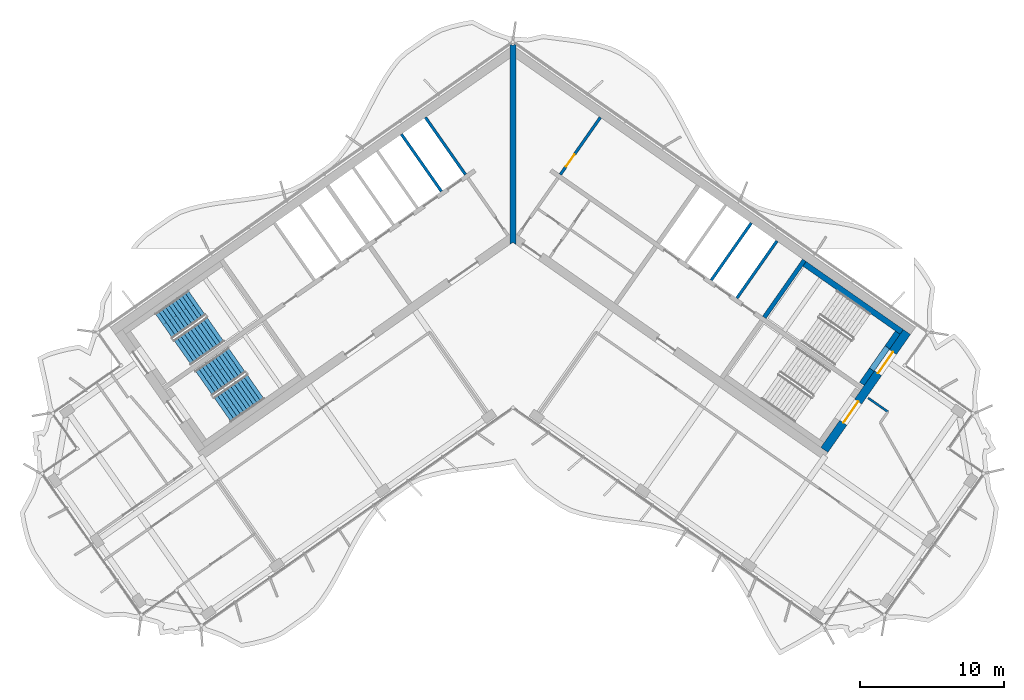
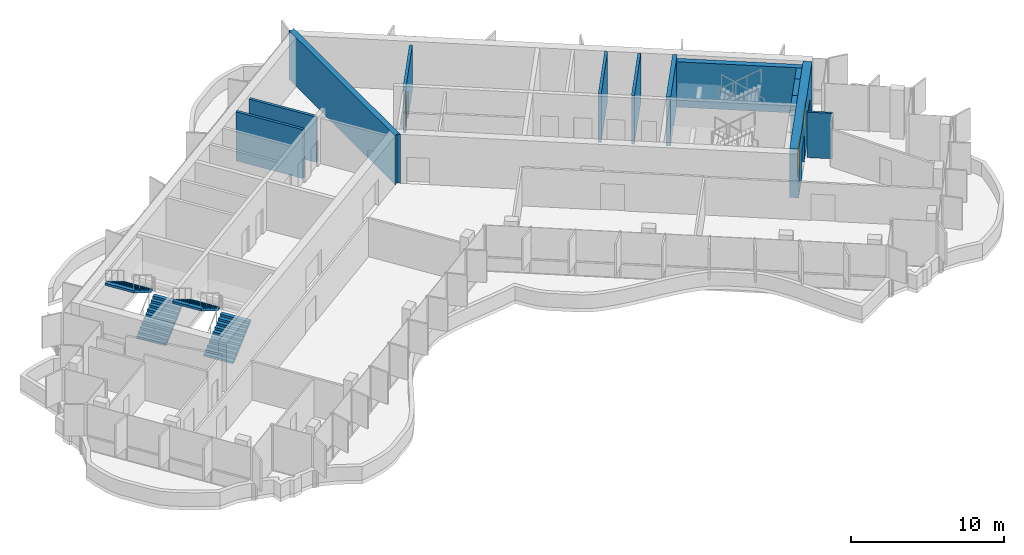
# One storey, part 13 of 19: 13 walls, 4 stair flights, 3 doors, 3 openings, 2 elements without a shape of their own.
"""IFC4 building model written with IfcOpenShell, lengths in metres."""

from ifc_helpers import new_model, si_unit, direction, frame, frame_2d, origin, place, context, subcontext, project, spatial, polyline, rectangle, outline, extrude, material, layer, layer_set, type_object, element, fill, aggregate, save


model = new_model("IFC4")

# Units and contexts
model_context = context("Model", 3, precision=1e-05, world=origin(), true_north=direction((0.0, 1.0)))
body_context = subcontext(model_context, "Body", "Model", "MODEL_VIEW")
ifc_project = project(units=[si_unit("LENGTHUNIT", "METRE"), si_unit("AREAUNIT", "SQUARE_METRE"), si_unit("VOLUMEUNIT", "CUBIC_METRE"), si_unit("PLANEANGLEUNIT", "RADIAN"), si_unit("MASSUNIT", "GRAM", prefix="KILO")], contexts=[model_context])

# Site, building, storey
site_placement = place(None, origin())
site = spatial("IfcSite", under=ifc_project, at=site_placement, CompositionType="ELEMENT")
building_placement = place(site_placement, origin())
building = spatial("IfcBuilding", under=site, at=building_placement, Name="Tel Ilan Convention Tower", CompositionType="ELEMENT")
storey_placement = place(building_placement, frame((0.0, 0.0, 241.0)))
storey = spatial("IfcBuildingStorey", under=building, at=storey_placement, Name="L56", CompositionType="ELEMENT", Elevation=241.0)

# Wall
ifc_material_1 = material(Name="Concrete C30/37", Category="concrete")
ifc_layer_1 = layer(ifc_material_1, 0.199951171875)
ifc_layer_set_1 = layer_set([ifc_layer_1], Name="Core Service Room Wall 200 mm C30/37")
wall_type_1 = type_object("IfcWallType", Name="Core Service Room Wall 200 mm C30/37", PredefinedType="SOLIDWALL", material=ifc_layer_set_1)
wall_1_placement = place(storey_placement, frame((-3.2978515625, 3.489501953125, 0.0), z_axis=(0.0, 0.0, 1.0), x_axis=(-0.573560315113, 0.819163332265, 0.0)))
element("IfcWall", 1, at=wall_1_placement, inside=storey, type_object=wall_type_1, Name="L56 core wall apex-W-b", PredefinedType="SOLIDWALL", context=body_context, shape_type="SweptSolid", body=[
    extrude(rectangle(XDim=4.849853515625, YDim=0.199951171875, at=frame_2d((2.4248046875, 0.0))), origin(), (0.0, 0.0, 1.0), 3.6201171875),
])

# Wall, opening, door
wall_2_placement = place(storey_placement, frame((3.2978515625, 3.489501953125, 0.0), z_axis=(0.0, 0.0, 1.0), x_axis=(0.573560315113, 0.819163332265, 0.0)))
wall_2 = element("IfcWall", 2, at=wall_2_placement, inside=storey, type_object=wall_type_1, Name="L56 core wall apex-E-b", PredefinedType="SOLIDWALL", context=body_context, shape_type="SweptSolid", body=[
    extrude(rectangle(XDim=4.849853515625, YDim=0.199951171875, at=frame_2d((2.4248046875, 0.0))), origin(), (0.0, 0.0, 1.0), 3.6201171875),
])
opening_1_placement = place(wall_2_placement, frame((0.699951171875, 0.0, 0.0)))
opening_1 = element("IfcOpeningElement", 3, at=opening_1_placement, cuts=wall_2, Name="Opening CD4303", PredefinedType="OPENING", context=body_context, shape_type="SweptSolid", body=[
    extrude(rectangle(XDim=1.0, YDim=2.10009765625, at=frame_2d((0.5, 1.050048828125))), frame((0.0, 0.10986328125, 0.0), z_axis=(0.0, -1.0, 0.0), x_axis=(1.0, 0.0, 0.0)), (0.0, 0.0, 1.0), 0.219970703125),
])
ifc_material_2 = material(Name="Galvanised Steel Door Leaf", Category="steel")
door_type_1 = type_object("IfcDoorType", Name="Service Room Door 1000 x 2100 FD60", OperationType="NOTDEFINED", PredefinedType="DOOR", material=ifc_material_2)
door_1_placement = place(opening_1_placement, origin())
door_1 = element("IfcDoor", 4, at=door_1_placement, inside=storey, type_object=door_type_1, Name="Plant Room door", OperationType="SINGLE_SWING_RIGHT", OverallHeight=2.10009765625, OverallWidth=1.0, PredefinedType="DOOR", context=body_context, shape_type="SweptSolid", body=[
    extrude(rectangle(XDim=1.0, YDim=2.10009765625, at=frame_2d((0.5, 1.050048828125))), frame((0.0, 0.02490234375, 0.0), z_axis=(0.0, -1.0, 0.0), x_axis=(1.0, 0.0, 0.0)), (0.0, 0.0, 1.0), 0.050048828125),
])
fill(opening_1, door_1)

# Walls
ifc_material_3 = material(Name="Concrete C40/50", Category="concrete")
ifc_layer_2 = layer(ifc_material_3, 0.300048828125)
ifc_layer_set_2 = layer_set([ifc_layer_2], Name="Core Shear Wall 300 mm C40/50")
wall_type_2 = type_object("IfcWallType", Name="Core Shear Wall 300 mm C40/50", PredefinedType="SHEAR", material=ifc_layer_set_2)
wall_3_placement = place(storey_placement, frame((17.46923828125, -6.433349609375, 0.0), z_axis=(0.0, 0.0, 1.0), x_axis=(0.573594092424, 0.81913968109, 0.0)))
element("IfcWall", 5, at=wall_3_placement, inside=storey, type_object=wall_type_2, Name="L56 core wall E-cross2-2", PredefinedType="SHEAR", context=body_context, shape_type="SweptSolid", body=[
    extrude(outline(polyline([(4.849853515625, -0.14990234375), (4.849853515625, 0.150146484375), (0.0, 0.14990234375), (0.0, -0.14990234375), (4.849853515625, -0.14990234375)])), origin(), (0.0, 0.0, 1.0), 3.89990234375),
])
ifc_material_4 = material(Name="Concrete C40/50", Category="concrete")
ifc_layer_3 = layer(ifc_material_4, 0.39990234375)
ifc_layer_set_3 = layer_set([ifc_layer_3], Name="Core Shear Wall 400 mm C40/50")
wall_type_3 = type_object("IfcWallType", Name="Core Shear Wall 400 mm C40/50", PredefinedType="SHEAR", material=ifc_layer_set_3)
wall_4_placement = place(storey_placement, frame((0.0, -1.36083984375, 0.0), z_axis=(0.0, 0.0, 1.0), x_axis=(0.0, 1.0, 0.0)))
element("IfcWall", 6, at=wall_4_placement, inside=storey, type_object=wall_type_3, Name="L56 core wall K-central", PredefinedType="SHEAR", context=body_context, shape_type="SweptSolid", body=[
    extrude(outline(polyline([(0.14013671875, 0.199951171875), (0.0, 0.199951171875), (0.14013671875, 0.0), (0.0, -0.199951171875), (0.14013671875, -0.199951171875), (1.012451171875, -0.199951171875), (12.940185546875, -0.199951171875), (13.812744140625, -0.199951171875), (13.893310546875, -0.199951171875), (13.933349609375, -0.172119140625), (13.812744140625, 0.0), (13.933349609375, 0.172119140625), (13.893310546875, 0.199951171875), (13.812744140625, 0.199951171875), (12.940185546875, 0.199951171875), (1.012451171875, 0.199951171875), (0.14013671875, 0.199951171875)])), origin(), (0.0, 0.0, 1.0), 3.89990234375),
])

# Wall, openings, doors
ifc_material_5 = material(Name="Concrete C40/50", Category="concrete")
ifc_layer_4 = layer(ifc_material_5, 0.60009765625)
ifc_layer_set_4 = layer_set([ifc_layer_4], Name="Core Shear Wall 600 mm C40/50")
wall_type_4 = type_object("IfcWallType", Name="Core Shear Wall 600 mm C40/50", PredefinedType="SHEAR", material=ifc_layer_set_4)
wall_5_placement = place(storey_placement, frame((21.641845703125, -15.64208984375, 0.0), z_axis=(0.0, 0.0, 1.0), x_axis=(0.573586866468, 0.819144740944, 0.0)))
wall_5 = element("IfcWall", 7, at=wall_5_placement, inside=storey, type_object=wall_type_4, Name="L56 core wall E-end", PredefinedType="SHEAR", context=body_context, shape_type="SweptSolid", body=[
    extrude(outline(polyline([(10.0, 0.300048828125), (0.0, 0.2998046875), (0.0, -0.300048828125), (10.0, -0.300048828125), (10.0, 0.300048828125)])), origin(), (0.0, 0.0, 1.0), 3.89990234375),
])
opening_2_placement = place(wall_5_placement, frame((6.5, 0.0, 0.0)))
opening_2 = element("IfcOpeningElement", 8, at=opening_2_placement, cuts=wall_5, Name="Opening SD4303", PredefinedType="OPENING", context=body_context, shape_type="SweptSolid", body=[
    extrude(rectangle(XDim=1.800048828125, YDim=2.10009765625, at=frame_2d((0.89990234375, 1.050048828125))), frame((0.0, 0.31005859375, 0.0), z_axis=(0.0, -1.0, 0.0), x_axis=(1.0, 0.0, 0.0)), (0.0, 0.0, 1.0), 0.6201171875),
])
opening_3_placement = place(wall_5_placement, frame((2.300048828125, 0.0, 0.0)))
opening_3 = element("IfcOpeningElement", 9, at=opening_3_placement, cuts=wall_5, Name="Opening SD4304", PredefinedType="OPENING", context=body_context, shape_type="SweptSolid", body=[
    extrude(rectangle(XDim=1.800048828125, YDim=2.10009765625, at=frame_2d((0.89990234375, 1.050048828125))), frame((0.0, 0.31005859375, 0.0), z_axis=(0.0, -1.0, 0.0), x_axis=(1.0, 0.0, 0.0)), (0.0, 0.0, 1.0), 0.6201171875),
])
ifc_material_6 = material(Name="Galvanised Steel Door Leaf", Category="steel")
door_type_2 = type_object("IfcDoorType", Name="Stair Fire Door 1800 x 2100 FD60S", OperationType="NOTDEFINED", PredefinedType="DOOR", material=ifc_material_6)
door_2_placement = place(opening_2_placement, origin())
door_2 = element("IfcDoor", 10, at=door_2_placement, inside=storey, type_object=door_type_2, Name="Stair S3 door", OperationType="DOUBLE_DOOR_SINGLE_SWING", OverallHeight=2.10009765625, OverallWidth=1.800048828125, PredefinedType="DOOR", context=body_context, shape_type="SweptSolid", body=[
    extrude(rectangle(XDim=1.800048828125, YDim=2.10009765625, at=frame_2d((0.89990234375, 1.050048828125))), frame((0.0, 0.02490234375, 0.0), z_axis=(0.0, -1.0, 0.0), x_axis=(1.0, 0.0, 0.0)), (0.0, 0.0, 1.0), 0.050048828125),
])
fill(opening_2, door_2)
door_3_placement = place(opening_3_placement, origin())
door_3 = element("IfcDoor", 11, at=door_3_placement, inside=storey, type_object=door_type_2, Name="Stair S4 door", OperationType="DOUBLE_DOOR_SINGLE_SWING", OverallHeight=2.10009765625, OverallWidth=1.800048828125, PredefinedType="DOOR", context=body_context, shape_type="SweptSolid", body=[
    extrude(rectangle(XDim=1.800048828125, YDim=2.10009765625, at=frame_2d((0.89990234375, 1.050048828125))), frame((0.0, 0.02490234375, 0.0), z_axis=(0.0, -1.0, 0.0), x_axis=(1.0, 0.0, 0.0)), (0.0, 0.0, 1.0), 0.050048828125),
])
fill(opening_3, door_3)

# Walls
ifc_material_7 = material(Name="Plasterboard on Steel Studs", Category="steel")
ifc_layer_5 = layer(ifc_material_7, 0.14990234375)
ifc_layer_set_5 = layer_set([ifc_layer_5], Name="Fire-rated Partition 150 EI 60")
wall_type_5 = type_object("IfcWallType", Name="Fire-rated Partition 150 EI 60", PredefinedType="PARTITIONING", material=ifc_layer_set_5)
wall_6_placement = place(storey_placement, frame((26.057861328125, -12.99658203125, 0.0), z_axis=(0.0, 0.0, 1.0), x_axis=(-0.819109000826, 0.573637903879, 0.0)))
element("IfcWall", 12, at=wall_6_placement, inside=storey, type_object=wall_type_5, Name="Partition 010", PredefinedType="PARTITIONING", context=body_context, shape_type="SweptSolid", body=[
    extrude(rectangle(XDim=1.679931640625, YDim=0.14990234375, at=frame_2d((0.83984375, 0.0))), origin(), (0.0, 0.0, 1.0), 3.6201171875),
])
ifc_material_8 = material(Name="Concrete C30/37", Category="concrete")
ifc_layer_6 = layer(ifc_material_8, 0.199951171875)
ifc_layer_set_6 = layer_set([ifc_layer_6], Name="Lift Shaft Wall 200 mm C30/37")
wall_type_6 = type_object("IfcWallType", Name="Lift Shaft Wall 200 mm C30/37", PredefinedType="SOLIDWALL", material=ifc_layer_set_6)
for number, where, z_axis, x_axis, name in (
    (13, (-4.966796875, 2.32080078125, 0.0), (0.0, 0.0, 1.0), (-0.573594092424, 0.81913968109, 0.0), "L56 core wall bank-W1-p0"),
    (14, (13.782958984375, -3.852294921875, 0.0), (0.0, 0.0, 1.0), (0.573594092424, 0.81913968109, 0.0), "L56 core wall bank-E2-p1"),
):
    element("IfcWall", number, at=place(storey_placement, frame(where, z_axis=z_axis, x_axis=x_axis)), inside=storey, type_object=wall_type_6, Name=name, PredefinedType="SOLIDWALL", context=body_context, shape_type="SweptSolid", body=[
        extrude(rectangle(XDim=4.85009765625, YDim=0.199951171875, at=frame_2d((2.425048828125, 0.0))), origin(), (0.0, 0.0, 1.0), 3.89990234375),
    ])
wall_7_placement = place(storey_placement, frame((15.564697265625, -5.099853515625, 0.0), z_axis=(0.0, 0.0, 1.0), x_axis=(0.573560315113, 0.819163332265, 0.0)))
element("IfcWall", 15, at=wall_7_placement, inside=storey, type_object=wall_type_6, Name="L56 core wall bank-E2-p2", PredefinedType="SOLIDWALL", context=body_context, shape_type="SweptSolid", body=[
    extrude(rectangle(XDim=4.849853515625, YDim=0.199951171875, at=frame_2d((2.4248046875, 0.0))), origin(), (0.0, 0.0, 1.0), 3.89990234375),
])
ifc_material_9 = material(Name="Concrete C30/37", Category="concrete")
ifc_layer_7 = layer(ifc_material_9, 0.39990234375)
ifc_layer_set_7 = layer_set([ifc_layer_7], Name="Stair and Shaft Lining Wall 400 mm C30/37")
wall_type_7 = type_object("IfcWallType", Name="Stair and Shaft Lining Wall 400 mm C30/37", PredefinedType="SOLIDWALL", material=ifc_layer_set_7)
wall_8_placement = place(storey_placement, frame((20.25927734375, -2.71044921875, 0.0), z_axis=(0.0, 0.0, 1.0), x_axis=(0.81914849389, -0.573581506813, 0.0)))
element("IfcWall", 16, at=wall_8_placement, inside=storey, type_object=wall_type_7, Name="L56 core wall lining-S3-t1", PredefinedType="SOLIDWALL", context=body_context, shape_type="SweptSolid", body=[
    extrude(rectangle(XDim=8.249755859375, YDim=0.39990234375, at=frame_2d((4.125, 0.0))), origin(), (0.0, 0.0, 1.0), 3.6201171875),
])
wall_9_placement = place(storey_placement, frame((24.24365234375, -11.0546875, 0.0), z_axis=(0.0, 0.0, 1.0), x_axis=(0.573571582932, 0.819155442668, 0.0)))
element("IfcWall", 17, at=wall_9_placement, inside=storey, type_object=wall_type_7, Name="L56 core wall lining-S3-u1-0", PredefinedType="SOLIDWALL", context=body_context, shape_type="SweptSolid", body=[
    extrude(rectangle(XDim=1.199951171875, YDim=0.39990234375, at=frame_2d((0.60009765625, 0.0))), origin(), (0.0, 0.0, 1.0), 3.6201171875),
])
wall_10_placement = place(storey_placement, frame((26.021728515625, -8.515380859375, 0.0), z_axis=(0.0, 0.0, 1.0), x_axis=(0.573619628835, 0.819121798889, 0.0)))
element("IfcWall", 18, at=wall_10_placement, inside=storey, type_object=wall_type_7, Name="L56 core wall lining-S3-u1-1", PredefinedType="SOLIDWALL", context=body_context, shape_type="SweptSolid", body=[
    extrude(rectangle(XDim=1.25, YDim=0.39990234375, at=frame_2d((0.625, 0.0))), origin(), (0.0, 0.0, 1.0), 3.6201171875),
])
wall_11_placement = place(storey_placement, frame((24.931884765625, -10.07177734375, 2.14990234375), z_axis=(0.0, 0.0, 1.0), x_axis=(0.573591692345, 0.819141361715, 0.0)))
element("IfcWall", 19, at=wall_11_placement, inside=storey, type_object=wall_type_7, Name="L56 core wall lining-S3-u1-lintel", PredefinedType="SOLIDWALL", context=body_context, shape_type="SweptSolid", body=[
    extrude(rectangle(XDim=1.900146484375, YDim=0.39990234375, at=frame_2d((0.9501953125, 0.0))), origin(), (0.0, 0.0, 1.0), 1.47021484375),
])

# Stair, stair flights
ifc_material_10 = material(Name="Concrete C40/50", Category="concrete")
stair_type = type_object("IfcStairType", Name="Pressurised Exit Stair 22 risers 177 mm", PredefinedType="HALF_TURN_STAIR", material=ifc_material_10)
stair_1_placement = place(storey_placement, origin())
stair_1 = element("IfcStair", 20, at=stair_1_placement, inside=storey, type_object=stair_type, Name="L56 Pressurised Stair S1", PredefinedType="HALF_TURN_STAIR")
ifc_material_11 = material(Name="Precast Concrete C40/50", Category="concrete")
stair_flight_type = type_object("IfcStairFlightType", Name="Concrete Stair Flight 2100 mm 22 risers 177 mm", PredefinedType="STRAIGHT", material=ifc_material_11)
stair_flight_1_placement = place(storey_placement, frame((-22.9619140625, -8.87548828125, 0.0), z_axis=(0.0, 0.0, 1.0), x_axis=(0.819152044289, 0.573576436351, 0.0)))
stair_flight_1 = element("IfcStairFlight", 21, at=stair_flight_1_placement, type_object=stair_flight_type, Name="S1 flight 1", NumberOfRisers=11, NumberOfTreads=10, PredefinedType="STRAIGHT", RiserHeight=0.177272727, TreadLength=0.28, context=body_context, shape_type="SweptSolid", body=[
    extrude(outline(polyline([(0.0, 0.0), (0.0, 0.17724609375), (0.280029296875, 0.17724609375), (0.280029296875, 0.3544921875), (0.56005859375, 0.3544921875), (0.56005859375, 0.53173828125), (0.840087890625, 0.53173828125), (0.840087890625, 0.708984375), (1.1201171875, 0.708984375), (1.1201171875, 0.886474609375), (1.39990234375, 0.886474609375), (1.39990234375, 1.063720703125), (1.679931640625, 1.063720703125), (1.679931640625, 1.240966796875), (1.9599609375, 1.240966796875), (1.9599609375, 1.418212890625), (2.239990234375, 1.418212890625), (2.239990234375, 1.595458984375), (2.52001953125, 1.595458984375), (2.52001953125, 1.772705078125), (2.800048828125, 1.772705078125), (2.800048828125, 1.949951171875), (2.800048828125, 1.59521484375), (0.2802734375, 0.0), (0.0, 0.0)])), frame((0.0, -0.100341796875, 0.0), z_axis=(0.0, -1.0, 0.0), x_axis=(1.0, 0.0, 0.0)), (0.0, 0.0, 1.0), 0.94970703125),
    extrude(outline(polyline([(0.0, 0.0), (0.0, 0.17724609375), (0.280029296875, 0.17724609375), (0.280029296875, 0.3544921875), (0.56005859375, 0.3544921875), (0.56005859375, 0.53173828125), (0.840087890625, 0.53173828125), (0.840087890625, 0.708984375), (1.1201171875, 0.708984375), (1.1201171875, 0.886474609375), (1.39990234375, 0.886474609375), (1.39990234375, 1.063720703125), (1.679931640625, 1.063720703125), (1.679931640625, 1.240966796875), (1.9599609375, 1.240966796875), (1.9599609375, 1.418212890625), (2.239990234375, 1.418212890625), (2.239990234375, 1.595458984375), (2.52001953125, 1.595458984375), (2.52001953125, 1.772705078125), (2.800048828125, 1.772705078125), (2.800048828125, 1.949951171875), (2.800048828125, 1.59521484375), (0.2802734375, 0.0), (0.0, 0.0)])), frame((0.0, -0.000244140625, 0.0), z_axis=(0.0, -1.0, 0.0), x_axis=(1.0, 0.0, 0.0)), (0.0, 0.0, 1.0), 0.099609375),
    extrude(outline(polyline([(0.0, 0.0), (0.0, 0.17724609375), (0.280029296875, 0.17724609375), (0.280029296875, 0.3544921875), (0.56005859375, 0.3544921875), (0.56005859375, 0.53173828125), (0.840087890625, 0.53173828125), (0.840087890625, 0.708984375), (1.1201171875, 0.708984375), (1.1201171875, 0.886474609375), (1.39990234375, 0.886474609375), (1.39990234375, 1.063720703125), (1.679931640625, 1.063720703125), (1.679931640625, 1.240966796875), (1.9599609375, 1.240966796875), (1.9599609375, 1.418212890625), (2.239990234375, 1.418212890625), (2.239990234375, 1.595458984375), (2.52001953125, 1.595458984375), (2.52001953125, 1.772705078125), (2.800048828125, 1.772705078125), (2.800048828125, 1.949951171875), (2.800048828125, 1.59521484375), (0.2802734375, 0.0), (0.0, 0.0)])), frame((0.0, 0.099853515625, 0.0), z_axis=(0.0, -1.0, 0.0), x_axis=(1.0, 0.0, 0.0)), (0.0, 0.0, 1.0), 0.099609375),
    extrude(outline(polyline([(0.0, 0.0), (0.0, 0.17724609375), (0.280029296875, 0.17724609375), (0.280029296875, 0.3544921875), (0.56005859375, 0.3544921875), (0.56005859375, 0.53173828125), (0.840087890625, 0.53173828125), (0.840087890625, 0.708984375), (1.1201171875, 0.708984375), (1.1201171875, 0.886474609375), (1.39990234375, 0.886474609375), (1.39990234375, 1.063720703125), (1.679931640625, 1.063720703125), (1.679931640625, 1.240966796875), (1.9599609375, 1.240966796875), (1.9599609375, 1.418212890625), (2.239990234375, 1.418212890625), (2.239990234375, 1.595458984375), (2.52001953125, 1.595458984375), (2.52001953125, 1.772705078125), (2.800048828125, 1.772705078125), (2.800048828125, 1.949951171875), (2.800048828125, 1.59521484375), (0.2802734375, 0.0), (0.0, 0.0)])), frame((0.0, 1.050048828125, 0.0), z_axis=(0.0, -1.0, 0.0), x_axis=(1.0, 0.0, 0.0)), (0.0, 0.0, 1.0), 0.94970703125),
])
stair_flight_2_placement = place(storey_placement, frame((-21.958740234375, -5.42626953125, 1.949951171875), z_axis=(0.0, 0.0, 1.0), x_axis=(-0.819152044289, -0.573576436351, 0.0)))
stair_flight_2 = element("IfcStairFlight", 22, at=stair_flight_2_placement, type_object=stair_flight_type, Name="S1 flight 2", NumberOfRisers=11, NumberOfTreads=10, PredefinedType="STRAIGHT", RiserHeight=0.177272727, TreadLength=0.28, context=body_context, shape_type="SweptSolid", body=[
    extrude(outline(polyline([(0.0, 0.0), (0.0, 0.17724609375), (0.280029296875, 0.17724609375), (0.280029296875, 0.3544921875), (0.56005859375, 0.3544921875), (0.56005859375, 0.53173828125), (0.840087890625, 0.53173828125), (0.840087890625, 0.708984375), (1.1201171875, 0.708984375), (1.1201171875, 0.886474609375), (1.39990234375, 0.886474609375), (1.39990234375, 1.063720703125), (1.679931640625, 1.063720703125), (1.679931640625, 1.240966796875), (1.9599609375, 1.240966796875), (1.9599609375, 1.418212890625), (2.239990234375, 1.418212890625), (2.239990234375, 1.595458984375), (2.52001953125, 1.595458984375), (2.52001953125, 1.772705078125), (2.800048828125, 1.772705078125), (2.800048828125, 1.949951171875), (2.800048828125, 1.59521484375), (0.2802734375, 0.0), (0.0, 0.0)])), frame((0.0, -0.100341796875, 0.0), z_axis=(0.0, -1.0, 0.0), x_axis=(1.0, 0.0, 0.0)), (0.0, 0.0, 1.0), 0.94970703125),
    extrude(outline(polyline([(0.0, 0.0), (0.0, 0.17724609375), (0.280029296875, 0.17724609375), (0.280029296875, 0.3544921875), (0.56005859375, 0.3544921875), (0.56005859375, 0.53173828125), (0.840087890625, 0.53173828125), (0.840087890625, 0.708984375), (1.1201171875, 0.708984375), (1.1201171875, 0.886474609375), (1.39990234375, 0.886474609375), (1.39990234375, 1.063720703125), (1.679931640625, 1.063720703125), (1.679931640625, 1.240966796875), (1.9599609375, 1.240966796875), (1.9599609375, 1.418212890625), (2.239990234375, 1.418212890625), (2.239990234375, 1.595458984375), (2.52001953125, 1.595458984375), (2.52001953125, 1.772705078125), (2.800048828125, 1.772705078125), (2.800048828125, 1.949951171875), (2.800048828125, 1.59521484375), (0.2802734375, 0.0), (0.0, 0.0)])), frame((0.0, -0.000244140625, 0.0), z_axis=(0.0, -1.0, 0.0), x_axis=(1.0, 0.0, 0.0)), (0.0, 0.0, 1.0), 0.099609375),
    extrude(outline(polyline([(0.0, 0.0), (0.0, 0.17724609375), (0.280029296875, 0.17724609375), (0.280029296875, 0.3544921875), (0.56005859375, 0.3544921875), (0.56005859375, 0.53173828125), (0.840087890625, 0.53173828125), (0.840087890625, 0.708984375), (1.1201171875, 0.708984375), (1.1201171875, 0.886474609375), (1.39990234375, 0.886474609375), (1.39990234375, 1.063720703125), (1.679931640625, 1.063720703125), (1.679931640625, 1.240966796875), (1.9599609375, 1.240966796875), (1.9599609375, 1.418212890625), (2.239990234375, 1.418212890625), (2.239990234375, 1.595458984375), (2.52001953125, 1.595458984375), (2.52001953125, 1.772705078125), (2.800048828125, 1.772705078125), (2.800048828125, 1.949951171875), (2.800048828125, 1.59521484375), (0.2802734375, 0.0), (0.0, 0.0)])), frame((0.0, 0.099853515625, 0.0), z_axis=(0.0, -1.0, 0.0), x_axis=(1.0, 0.0, 0.0)), (0.0, 0.0, 1.0), 0.099609375),
    extrude(outline(polyline([(0.0, 0.0), (0.0, 0.17724609375), (0.280029296875, 0.17724609375), (0.280029296875, 0.3544921875), (0.56005859375, 0.3544921875), (0.56005859375, 0.53173828125), (0.840087890625, 0.53173828125), (0.840087890625, 0.708984375), (1.1201171875, 0.708984375), (1.1201171875, 0.886474609375), (1.39990234375, 0.886474609375), (1.39990234375, 1.063720703125), (1.679931640625, 1.063720703125), (1.679931640625, 1.240966796875), (1.9599609375, 1.240966796875), (1.9599609375, 1.418212890625), (2.239990234375, 1.418212890625), (2.239990234375, 1.595458984375), (2.52001953125, 1.595458984375), (2.52001953125, 1.772705078125), (2.800048828125, 1.772705078125), (2.800048828125, 1.949951171875), (2.800048828125, 1.59521484375), (0.2802734375, 0.0), (0.0, 0.0)])), frame((0.0, 1.050048828125, 0.0), z_axis=(0.0, -1.0, 0.0), x_axis=(1.0, 0.0, 0.0)), (0.0, 0.0, 1.0), 0.94970703125),
])
aggregate(stair_1, [stair_flight_1, stair_flight_2])

stair_2_placement = place(storey_placement, origin())
stair_2 = element("IfcStair", 23, at=stair_2_placement, inside=storey, type_object=stair_type, Name="L56 Pressurised Stair S2", PredefinedType="HALF_TURN_STAIR")
stair_flight_3_placement = place(storey_placement, frame((-20.179931640625, -12.848388671875, 0.0), z_axis=(0.0, 0.0, 1.0), x_axis=(0.819152044289, 0.573576436351, 0.0)))
stair_flight_3 = element("IfcStairFlight", 24, at=stair_flight_3_placement, type_object=stair_flight_type, Name="S2 flight 1", NumberOfRisers=11, NumberOfTreads=10, PredefinedType="STRAIGHT", RiserHeight=0.177272727, TreadLength=0.28, context=body_context, shape_type="SweptSolid", body=[
    extrude(outline(polyline([(0.0, 0.0), (0.0, 0.17724609375), (0.280029296875, 0.17724609375), (0.280029296875, 0.3544921875), (0.56005859375, 0.3544921875), (0.56005859375, 0.53173828125), (0.840087890625, 0.53173828125), (0.840087890625, 0.708984375), (1.1201171875, 0.708984375), (1.1201171875, 0.886474609375), (1.39990234375, 0.886474609375), (1.39990234375, 1.063720703125), (1.679931640625, 1.063720703125), (1.679931640625, 1.240966796875), (1.9599609375, 1.240966796875), (1.9599609375, 1.418212890625), (2.239990234375, 1.418212890625), (2.239990234375, 1.595458984375), (2.52001953125, 1.595458984375), (2.52001953125, 1.772705078125), (2.800048828125, 1.772705078125), (2.800048828125, 1.949951171875), (2.800048828125, 1.59521484375), (0.2802734375, 0.0), (0.0, 0.0)])), frame((0.0, -0.100341796875, 0.0), z_axis=(0.0, -1.0, 0.0), x_axis=(1.0, 0.0, 0.0)), (0.0, 0.0, 1.0), 0.94970703125),
    extrude(outline(polyline([(0.0, 0.0), (0.0, 0.17724609375), (0.280029296875, 0.17724609375), (0.280029296875, 0.3544921875), (0.56005859375, 0.3544921875), (0.56005859375, 0.53173828125), (0.840087890625, 0.53173828125), (0.840087890625, 0.708984375), (1.1201171875, 0.708984375), (1.1201171875, 0.886474609375), (1.39990234375, 0.886474609375), (1.39990234375, 1.063720703125), (1.679931640625, 1.063720703125), (1.679931640625, 1.240966796875), (1.9599609375, 1.240966796875), (1.9599609375, 1.418212890625), (2.239990234375, 1.418212890625), (2.239990234375, 1.595458984375), (2.52001953125, 1.595458984375), (2.52001953125, 1.772705078125), (2.800048828125, 1.772705078125), (2.800048828125, 1.949951171875), (2.800048828125, 1.59521484375), (0.2802734375, 0.0), (0.0, 0.0)])), frame((0.0, -0.000244140625, 0.0), z_axis=(0.0, -1.0, 0.0), x_axis=(1.0, 0.0, 0.0)), (0.0, 0.0, 1.0), 0.099609375),
    extrude(outline(polyline([(0.0, 0.0), (0.0, 0.17724609375), (0.280029296875, 0.17724609375), (0.280029296875, 0.3544921875), (0.56005859375, 0.3544921875), (0.56005859375, 0.53173828125), (0.840087890625, 0.53173828125), (0.840087890625, 0.708984375), (1.1201171875, 0.708984375), (1.1201171875, 0.886474609375), (1.39990234375, 0.886474609375), (1.39990234375, 1.063720703125), (1.679931640625, 1.063720703125), (1.679931640625, 1.240966796875), (1.9599609375, 1.240966796875), (1.9599609375, 1.418212890625), (2.239990234375, 1.418212890625), (2.239990234375, 1.595458984375), (2.52001953125, 1.595458984375), (2.52001953125, 1.772705078125), (2.800048828125, 1.772705078125), (2.800048828125, 1.949951171875), (2.800048828125, 1.59521484375), (0.2802734375, 0.0), (0.0, 0.0)])), frame((0.0, 0.099853515625, 0.0), z_axis=(0.0, -1.0, 0.0), x_axis=(1.0, 0.0, 0.0)), (0.0, 0.0, 1.0), 0.099609375),
    extrude(outline(polyline([(0.0, 0.0), (0.0, 0.17724609375), (0.280029296875, 0.17724609375), (0.280029296875, 0.3544921875), (0.56005859375, 0.3544921875), (0.56005859375, 0.53173828125), (0.840087890625, 0.53173828125), (0.840087890625, 0.708984375), (1.1201171875, 0.708984375), (1.1201171875, 0.886474609375), (1.39990234375, 0.886474609375), (1.39990234375, 1.063720703125), (1.679931640625, 1.063720703125), (1.679931640625, 1.240966796875), (1.9599609375, 1.240966796875), (1.9599609375, 1.418212890625), (2.239990234375, 1.418212890625), (2.239990234375, 1.595458984375), (2.52001953125, 1.595458984375), (2.52001953125, 1.772705078125), (2.800048828125, 1.772705078125), (2.800048828125, 1.949951171875), (2.800048828125, 1.59521484375), (0.2802734375, 0.0), (0.0, 0.0)])), frame((0.0, 1.050048828125, 0.0), z_axis=(0.0, -1.0, 0.0), x_axis=(1.0, 0.0, 0.0)), (0.0, 0.0, 1.0), 0.94970703125),
])
stair_flight_4_placement = place(storey_placement, frame((-19.177001953125, -9.399169921875, 1.949951171875), z_axis=(0.0, 0.0, 1.0), x_axis=(-0.819152044289, -0.573576436351, 0.0)))
stair_flight_4 = element("IfcStairFlight", 25, at=stair_flight_4_placement, type_object=stair_flight_type, Name="S2 flight 2", NumberOfRisers=11, NumberOfTreads=10, PredefinedType="STRAIGHT", RiserHeight=0.177272727, TreadLength=0.28, context=body_context, shape_type="SweptSolid", body=[
    extrude(outline(polyline([(0.0, 0.0), (0.0, 0.17724609375), (0.280029296875, 0.17724609375), (0.280029296875, 0.3544921875), (0.56005859375, 0.3544921875), (0.56005859375, 0.53173828125), (0.840087890625, 0.53173828125), (0.840087890625, 0.708984375), (1.1201171875, 0.708984375), (1.1201171875, 0.886474609375), (1.39990234375, 0.886474609375), (1.39990234375, 1.063720703125), (1.679931640625, 1.063720703125), (1.679931640625, 1.240966796875), (1.9599609375, 1.240966796875), (1.9599609375, 1.418212890625), (2.239990234375, 1.418212890625), (2.239990234375, 1.595458984375), (2.52001953125, 1.595458984375), (2.52001953125, 1.772705078125), (2.800048828125, 1.772705078125), (2.800048828125, 1.949951171875), (2.800048828125, 1.59521484375), (0.2802734375, 0.0), (0.0, 0.0)])), frame((0.0, -0.100341796875, 0.0), z_axis=(0.0, -1.0, 0.0), x_axis=(1.0, 0.0, 0.0)), (0.0, 0.0, 1.0), 0.94970703125),
    extrude(outline(polyline([(0.0, 0.0), (0.0, 0.17724609375), (0.280029296875, 0.17724609375), (0.280029296875, 0.3544921875), (0.56005859375, 0.3544921875), (0.56005859375, 0.53173828125), (0.840087890625, 0.53173828125), (0.840087890625, 0.708984375), (1.1201171875, 0.708984375), (1.1201171875, 0.886474609375), (1.39990234375, 0.886474609375), (1.39990234375, 1.063720703125), (1.679931640625, 1.063720703125), (1.679931640625, 1.240966796875), (1.9599609375, 1.240966796875), (1.9599609375, 1.418212890625), (2.239990234375, 1.418212890625), (2.239990234375, 1.595458984375), (2.52001953125, 1.595458984375), (2.52001953125, 1.772705078125), (2.800048828125, 1.772705078125), (2.800048828125, 1.949951171875), (2.800048828125, 1.59521484375), (0.2802734375, 0.0), (0.0, 0.0)])), frame((0.0, -0.000244140625, 0.0), z_axis=(0.0, -1.0, 0.0), x_axis=(1.0, 0.0, 0.0)), (0.0, 0.0, 1.0), 0.099609375),
    extrude(outline(polyline([(0.0, 0.0), (0.0, 0.17724609375), (0.280029296875, 0.17724609375), (0.280029296875, 0.3544921875), (0.56005859375, 0.3544921875), (0.56005859375, 0.53173828125), (0.840087890625, 0.53173828125), (0.840087890625, 0.708984375), (1.1201171875, 0.708984375), (1.1201171875, 0.886474609375), (1.39990234375, 0.886474609375), (1.39990234375, 1.063720703125), (1.679931640625, 1.063720703125), (1.679931640625, 1.240966796875), (1.9599609375, 1.240966796875), (1.9599609375, 1.418212890625), (2.239990234375, 1.418212890625), (2.239990234375, 1.595458984375), (2.52001953125, 1.595458984375), (2.52001953125, 1.772705078125), (2.800048828125, 1.772705078125), (2.800048828125, 1.949951171875), (2.800048828125, 1.59521484375), (0.2802734375, 0.0), (0.0, 0.0)])), frame((0.0, 0.099853515625, 0.0), z_axis=(0.0, -1.0, 0.0), x_axis=(1.0, 0.0, 0.0)), (0.0, 0.0, 1.0), 0.099609375),
    extrude(outline(polyline([(0.0, 0.0), (0.0, 0.17724609375), (0.280029296875, 0.17724609375), (0.280029296875, 0.3544921875), (0.56005859375, 0.3544921875), (0.56005859375, 0.53173828125), (0.840087890625, 0.53173828125), (0.840087890625, 0.708984375), (1.1201171875, 0.708984375), (1.1201171875, 0.886474609375), (1.39990234375, 0.886474609375), (1.39990234375, 1.063720703125), (1.679931640625, 1.063720703125), (1.679931640625, 1.240966796875), (1.9599609375, 1.240966796875), (1.9599609375, 1.418212890625), (2.239990234375, 1.418212890625), (2.239990234375, 1.595458984375), (2.52001953125, 1.595458984375), (2.52001953125, 1.772705078125), (2.800048828125, 1.772705078125), (2.800048828125, 1.949951171875), (2.800048828125, 1.59521484375), (0.2802734375, 0.0), (0.0, 0.0)])), frame((0.0, 1.050048828125, 0.0), z_axis=(0.0, -1.0, 0.0), x_axis=(1.0, 0.0, 0.0)), (0.0, 0.0, 1.0), 0.94970703125),
])
aggregate(stair_2, [stair_flight_3, stair_flight_4])

save(model, "model.ifc")
